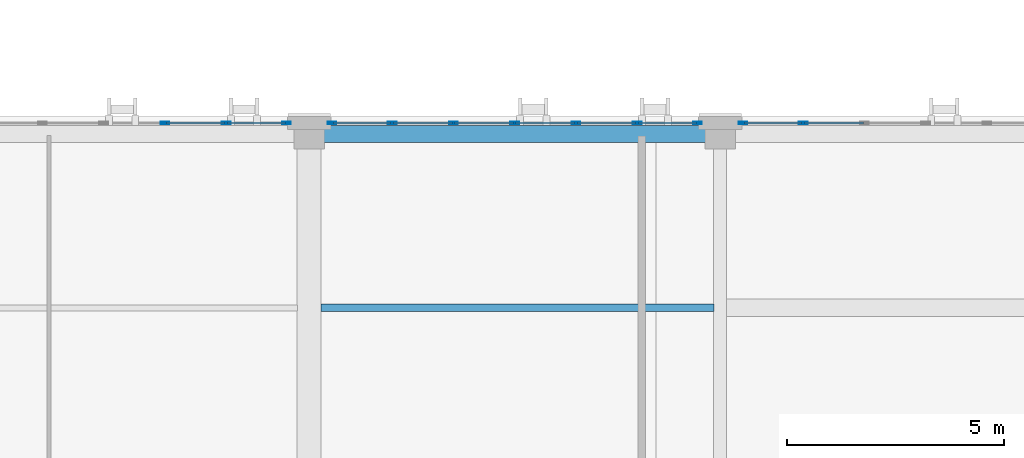
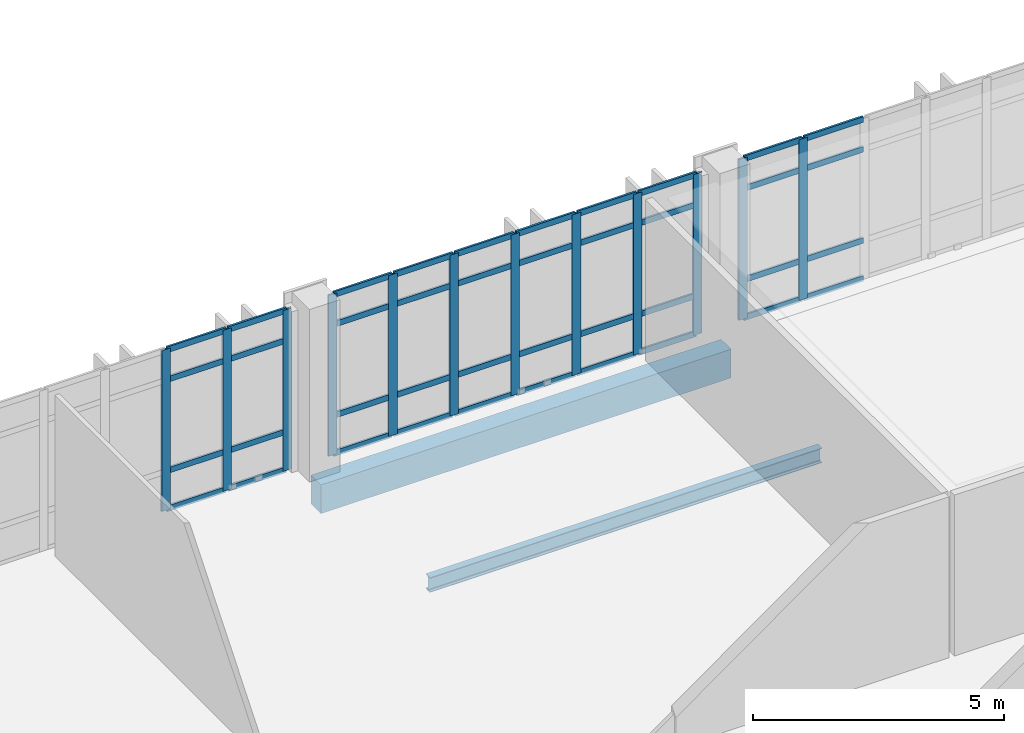
# One storey, part 18 of 165: 52 members, 2 beams, 3 elements without a shape of their own.
"""IFC4 building model written with IfcOpenShell, lengths in metres."""

from ifc_helpers import new_model, si_unit, direction, frame, origin, origin_2d, place, context, subcontext, project, spatial, rectangle, hollow_rectangle, i_section, extrude, material, layer, layer_set, material_profile, profile_set, type_object, element, aggregate, save


model = new_model("IFC4")

# Units and contexts
model_context = context("Model", 3, precision=1e-05, world=origin(), true_north=direction((0.0, 1.0)))
body_context = subcontext(model_context, "Body", "Model", "MODEL_VIEW")
ifc_project = project(units=[si_unit("LENGTHUNIT", "METRE"), si_unit("AREAUNIT", "SQUARE_METRE"), si_unit("VOLUMEUNIT", "CUBIC_METRE"), si_unit("PLANEANGLEUNIT", "RADIAN"), si_unit("MASSUNIT", "GRAM", prefix="KILO")], contexts=[model_context])

# Site, building, storey
site_placement = place(None, origin())
site = spatial("IfcSite", under=ifc_project, at=site_placement, CompositionType="ELEMENT")
building_placement = place(site_placement, origin())
building = spatial("IfcBuilding", under=site, at=building_placement, Name="Qalavern Law Courts", CompositionType="ELEMENT")
storey_placement = place(building_placement, frame((0.0, 0.0, 14.39990234375)))
storey = spatial("IfcBuildingStorey", under=building, at=storey_placement, Name="L03", CompositionType="ELEMENT", Elevation=14.39990234375)

# Curtain wall, members
ifc_material_1 = material(Name="Anodised aluminium and insulated glazing", Category="aluminium")
ifc_layer = layer(ifc_material_1, 0.18505859375)
ifc_layer_set = layer_set([ifc_layer], Name="Anodised aluminium and insulated glazing")
curtain_wall_type = type_object("IfcCurtainWallType", Name="ENV-CW-HALL", PredefinedType="USERDEFINED", material=ifc_layer_set)
curtain_wall_1_placement = place(storey_placement, origin())
curtain_wall_1 = element("IfcCurtainWall", 1, at=curtain_wall_1_placement, inside=storey, type_object=curtain_wall_type, Name="V2 unitised curtain wall L03 north 3", ObjectType="UNITISED CURTAIN WALL", PredefinedType="USERDEFINED")
ifc_material_2 = material(Name="Anodised aluminium", Category="aluminium")
ifc_material_profile_1 = material_profile(ifc_material_2, hollow_rectangle(XDim=0.048095703125, YDim=0.199951171875, WallThickness=0.00439453125, at=origin_2d()), Name="ALU MULLION 48x200")
ifc_profile_set_1 = profile_set([ifc_material_profile_1], Name="Anodised aluminium")
member_type_1 = type_object("IfcMemberType", Name="ENV-CWM-48x200", PredefinedType="MULLION", material=ifc_profile_set_1)
member_1_placement = place(storey_placement, frame((64.891845703125, 30.25244140625, 0.0), z_axis=(0.0, 0.0, 1.0), x_axis=(0.0, -1.0, 0.0)))
member_1 = element("IfcMember", 2, at=member_1_placement, type_object=member_type_1, Name="CW-02 mullion 6", PredefinedType="MULLION", context=body_context, shape_type="SweptSolid", body=[
    extrude(hollow_rectangle(XDim=0.048095703125, YDim=0.199951171875, WallThickness=0.00439453125, at=origin_2d()), origin(), (0.0, 0.0, 1.0), 3.920166015625),
])
member_2_placement = place(storey_placement, frame((63.5068359375, 30.25244140625, 0.0), z_axis=(0.0, 0.0, 1.0), x_axis=(0.0, -1.0, 0.0)))
member_2 = element("IfcMember", 3, at=member_2_placement, type_object=member_type_1, Name="CW-02 mullion 7", PredefinedType="MULLION", context=body_context, shape_type="SweptSolid", body=[
    extrude(hollow_rectangle(XDim=0.048095703125, YDim=0.199951171875, WallThickness=0.00439453125, at=origin_2d()), origin(), (0.0, 0.0, 1.0), 3.920166015625),
])

curtain_wall_2_placement = place(storey_placement, origin())
curtain_wall_2 = element("IfcCurtainWall", 4, at=curtain_wall_2_placement, inside=storey, type_object=curtain_wall_type, Name="V2 unitised curtain wall L03 north 4", ObjectType="UNITISED CURTAIN WALL", PredefinedType="USERDEFINED")
member_3_placement = place(storey_placement, frame((62.458984375, 30.25244140625, 0.0), z_axis=(0.0, 0.0, 1.0), x_axis=(0.0, -1.0, 0.0)))
member_3 = element("IfcMember", 5, at=member_3_placement, type_object=member_type_1, Name="CW-02 mullion 1", PredefinedType="MULLION", context=body_context, shape_type="SweptSolid", body=[
    extrude(hollow_rectangle(XDim=0.048095703125, YDim=0.199951171875, WallThickness=0.00439453125, at=origin_2d()), origin(), (0.0, 0.0, 1.0), 3.920166015625),
])
member_4_placement = place(storey_placement, frame((61.07373046875, 30.25244140625, 0.0), z_axis=(0.0, 0.0, 1.0), x_axis=(0.0, -1.0, 0.0)))
member_4 = element("IfcMember", 6, at=member_4_placement, type_object=member_type_1, Name="CW-02 mullion 2", PredefinedType="MULLION", context=body_context, shape_type="SweptSolid", body=[
    extrude(hollow_rectangle(XDim=0.048095703125, YDim=0.199951171875, WallThickness=0.00439453125, at=origin_2d()), origin(), (0.0, 0.0, 1.0), 3.920166015625),
])
member_5_placement = place(storey_placement, frame((59.664794921875, 30.25244140625, 0.0), z_axis=(0.0, 0.0, 1.0), x_axis=(0.0, -1.0, 0.0)))
member_5 = element("IfcMember", 7, at=member_5_placement, type_object=member_type_1, Name="CW-02 mullion 3", PredefinedType="MULLION", context=body_context, shape_type="SweptSolid", body=[
    extrude(hollow_rectangle(XDim=0.048095703125, YDim=0.199951171875, WallThickness=0.00439453125, at=origin_2d()), origin(), (0.0, 0.0, 1.0), 3.920166015625),
])
member_6_placement = place(storey_placement, frame((58.255859375, 30.25244140625, 0.0), z_axis=(0.0, 0.0, 1.0), x_axis=(0.0, -1.0, 0.0)))
member_6 = element("IfcMember", 8, at=member_6_placement, type_object=member_type_1, Name="CW-02 mullion 4", PredefinedType="MULLION", context=body_context, shape_type="SweptSolid", body=[
    extrude(hollow_rectangle(XDim=0.048095703125, YDim=0.199951171875, WallThickness=0.00439453125, at=origin_2d()), origin(), (0.0, 0.0, 1.0), 3.920166015625),
])
member_7_placement = place(storey_placement, frame((56.8466796875, 30.25244140625, 0.0), z_axis=(0.0, 0.0, 1.0), x_axis=(0.0, -1.0, 0.0)))
member_7 = element("IfcMember", 9, at=member_7_placement, type_object=member_type_1, Name="CW-02 mullion 5", PredefinedType="MULLION", context=body_context, shape_type="SweptSolid", body=[
    extrude(hollow_rectangle(XDim=0.048095703125, YDim=0.199951171875, WallThickness=0.00439453125, at=origin_2d()), origin(), (0.0, 0.0, 1.0), 3.920166015625),
])
member_8_placement = place(storey_placement, frame((55.437744140625, 30.25244140625, 0.0), z_axis=(0.0, 0.0, 1.0), x_axis=(0.0, -1.0, 0.0)))
member_8 = element("IfcMember", 10, at=member_8_placement, type_object=member_type_1, Name="CW-02 mullion 6", PredefinedType="MULLION", context=body_context, shape_type="SweptSolid", body=[
    extrude(hollow_rectangle(XDim=0.048095703125, YDim=0.199951171875, WallThickness=0.00439453125, at=origin_2d()), origin(), (0.0, 0.0, 1.0), 3.920166015625),
])
member_9_placement = place(storey_placement, frame((54.052490234375, 30.25244140625, 0.0), z_axis=(0.0, 0.0, 1.0), x_axis=(0.0, -1.0, 0.0)))
member_9 = element("IfcMember", 11, at=member_9_placement, type_object=member_type_1, Name="CW-02 mullion 7", PredefinedType="MULLION", context=body_context, shape_type="SweptSolid", body=[
    extrude(hollow_rectangle(XDim=0.048095703125, YDim=0.199951171875, WallThickness=0.00439453125, at=origin_2d()), origin(), (0.0, 0.0, 1.0), 3.920166015625),
])

curtain_wall_3_placement = place(storey_placement, origin())
curtain_wall_3 = element("IfcCurtainWall", 12, at=curtain_wall_3_placement, inside=storey, type_object=curtain_wall_type, Name="V2 unitised curtain wall L03 north 5", ObjectType="UNITISED CURTAIN WALL", PredefinedType="USERDEFINED")
member_10_placement = place(storey_placement, frame((53.004638671875, 30.25244140625, 0.0), z_axis=(0.0, 0.0, 1.0), x_axis=(0.0, -1.0, 0.0)))
member_10 = element("IfcMember", 13, at=member_10_placement, type_object=member_type_1, Name="CW-02 mullion 1", PredefinedType="MULLION", context=body_context, shape_type="SweptSolid", body=[
    extrude(hollow_rectangle(XDim=0.048095703125, YDim=0.199951171875, WallThickness=0.00439453125, at=origin_2d()), origin(), (0.0, 0.0, 1.0), 3.920166015625),
])
member_11_placement = place(storey_placement, frame((51.61962890625, 30.25244140625, 0.0), z_axis=(0.0, 0.0, 1.0), x_axis=(0.0, -1.0, 0.0)))
member_11 = element("IfcMember", 14, at=member_11_placement, type_object=member_type_1, Name="CW-02 mullion 2", PredefinedType="MULLION", context=body_context, shape_type="SweptSolid", body=[
    extrude(hollow_rectangle(XDim=0.048095703125, YDim=0.199951171875, WallThickness=0.00439453125, at=origin_2d()), origin(), (0.0, 0.0, 1.0), 3.920166015625),
])
member_12_placement = place(storey_placement, frame((50.21044921875, 30.25244140625, 0.0), z_axis=(0.0, 0.0, 1.0), x_axis=(0.0, -1.0, 0.0)))
member_12 = element("IfcMember", 15, at=member_12_placement, type_object=member_type_1, Name="CW-02 mullion 3", PredefinedType="MULLION", context=body_context, shape_type="SweptSolid", body=[
    extrude(hollow_rectangle(XDim=0.048095703125, YDim=0.199951171875, WallThickness=0.00439453125, at=origin_2d()), origin(), (0.0, 0.0, 1.0), 3.920166015625),
])

# Member
ifc_material_profile_2 = material_profile(ifc_material_2, hollow_rectangle(XDim=0.048095703125, YDim=0.139892578125, WallThickness=0.00390625, at=origin_2d()), Name="ALU TRANSOM 48x140")
ifc_profile_set_2 = profile_set([ifc_material_profile_2], Name="Anodised aluminium")
member_type_2 = type_object("IfcMemberType", Name="ENV-CWT-48x140", PredefinedType="USERDEFINED", material=ifc_profile_set_2)
member_13_placement = place(storey_placement, frame((66.27685546875, 30.25244140625, 0.024169921875), z_axis=(-1.0, 0.0, 0.0), x_axis=(0.0, -1.0, 0.0)))
member_13 = element("IfcMember", 16, at=member_13_placement, type_object=member_type_2, Name="CW-02 transom 5.1", ObjectType="TRANSOM", PredefinedType="USERDEFINED", context=body_context, shape_type="SweptSolid", body=[
    extrude(hollow_rectangle(XDim=0.048095703125, YDim=0.139892578125, WallThickness=0.00390625, at=origin_2d()), origin(), (0.0, 0.0, 1.0), 1.36083984375),
])

member_14_placement = place(storey_placement, frame((66.27685546875, 30.25244140625, 0.9501953125), z_axis=(-1.0, 0.0, 0.0), x_axis=(0.0, -1.0, 0.0)))
member_14 = element("IfcMember", 17, at=member_14_placement, type_object=member_type_2, Name="CW-02 transom 5.2", ObjectType="TRANSOM", PredefinedType="USERDEFINED", context=body_context, shape_type="SweptSolid", body=[
    extrude(hollow_rectangle(XDim=0.048095703125, YDim=0.139892578125, WallThickness=0.00390625, at=origin_2d()), origin(), (0.0, 0.0, 1.0), 1.36083984375),
])

member_15_placement = place(storey_placement, frame((66.27685546875, 30.25244140625, 3.170166015625), z_axis=(-1.0, 0.0, 0.0), x_axis=(0.0, -1.0, 0.0)))
member_15 = element("IfcMember", 18, at=member_15_placement, type_object=member_type_2, Name="CW-02 transom 5.3", ObjectType="TRANSOM", PredefinedType="USERDEFINED", context=body_context, shape_type="SweptSolid", body=[
    extrude(hollow_rectangle(XDim=0.048095703125, YDim=0.139892578125, WallThickness=0.00390625, at=origin_2d()), origin(), (0.0, 0.0, 1.0), 1.36083984375),
])

member_16_placement = place(storey_placement, frame((66.27685546875, 30.25244140625, 3.89599609375), z_axis=(-1.0, 0.0, 0.0), x_axis=(0.0, -1.0, 0.0)))
member_16 = element("IfcMember", 19, at=member_16_placement, type_object=member_type_2, Name="CW-02 transom 5.4", ObjectType="TRANSOM", PredefinedType="USERDEFINED", context=body_context, shape_type="SweptSolid", body=[
    extrude(hollow_rectangle(XDim=0.048095703125, YDim=0.139892578125, WallThickness=0.00390625, at=origin_2d()), origin(), (0.0, 0.0, 1.0), 1.36083984375),
])

member_17_placement = place(storey_placement, frame((64.867919921875, 30.25244140625, 0.024169921875), z_axis=(-1.0, 0.0, 0.0), x_axis=(0.0, -1.0, 0.0)))
member_17 = element("IfcMember", 20, at=member_17_placement, type_object=member_type_2, Name="CW-02 transom 6.1", ObjectType="TRANSOM", PredefinedType="USERDEFINED", context=body_context, shape_type="SweptSolid", body=[
    extrude(hollow_rectangle(XDim=0.048095703125, YDim=0.139892578125, WallThickness=0.00390625, at=origin_2d()), origin(), (0.0, 0.0, 1.0), 1.3369140625),
])

member_18_placement = place(storey_placement, frame((64.867919921875, 30.25244140625, 0.9501953125), z_axis=(-1.0, 0.0, 0.0), x_axis=(0.0, -1.0, 0.0)))
member_18 = element("IfcMember", 21, at=member_18_placement, type_object=member_type_2, Name="CW-02 transom 6.2", ObjectType="TRANSOM", PredefinedType="USERDEFINED", context=body_context, shape_type="SweptSolid", body=[
    extrude(hollow_rectangle(XDim=0.048095703125, YDim=0.139892578125, WallThickness=0.00390625, at=origin_2d()), origin(), (0.0, 0.0, 1.0), 1.3369140625),
])

member_19_placement = place(storey_placement, frame((64.867919921875, 30.25244140625, 3.170166015625), z_axis=(-1.0, 0.0, 0.0), x_axis=(0.0, -1.0, 0.0)))
member_19 = element("IfcMember", 22, at=member_19_placement, type_object=member_type_2, Name="CW-02 transom 6.3", ObjectType="TRANSOM", PredefinedType="USERDEFINED", context=body_context, shape_type="SweptSolid", body=[
    extrude(hollow_rectangle(XDim=0.048095703125, YDim=0.139892578125, WallThickness=0.00390625, at=origin_2d()), origin(), (0.0, 0.0, 1.0), 1.3369140625),
])

member_20_placement = place(storey_placement, frame((64.867919921875, 30.25244140625, 3.89599609375), z_axis=(-1.0, 0.0, 0.0), x_axis=(0.0, -1.0, 0.0)))
member_20 = element("IfcMember", 23, at=member_20_placement, type_object=member_type_2, Name="CW-02 transom 6.4", ObjectType="TRANSOM", PredefinedType="USERDEFINED", context=body_context, shape_type="SweptSolid", body=[
    extrude(hollow_rectangle(XDim=0.048095703125, YDim=0.139892578125, WallThickness=0.00390625, at=origin_2d()), origin(), (0.0, 0.0, 1.0), 1.3369140625),
])

aggregate(curtain_wall_1, [member_1, member_2, member_13, member_14, member_15, member_16, member_17, member_18, member_19, member_20])

member_21_placement = place(storey_placement, frame((62.434814453125, 30.25244140625, 0.024169921875), z_axis=(-1.0, 0.0, 0.0), x_axis=(0.0, -1.0, 0.0)))
member_21 = element("IfcMember", 24, at=member_21_placement, type_object=member_type_2, Name="CW-02 transom 1.1", ObjectType="TRANSOM", PredefinedType="USERDEFINED", context=body_context, shape_type="SweptSolid", body=[
    extrude(hollow_rectangle(XDim=0.048095703125, YDim=0.139892578125, WallThickness=0.00390625, at=origin_2d()), origin(), (0.0, 0.0, 1.0), 1.3369140625),
])

member_22_placement = place(storey_placement, frame((62.434814453125, 30.25244140625, 0.9501953125), z_axis=(-1.0, 0.0, 0.0), x_axis=(0.0, -1.0, 0.0)))
member_22 = element("IfcMember", 25, at=member_22_placement, type_object=member_type_2, Name="CW-02 transom 1.2", ObjectType="TRANSOM", PredefinedType="USERDEFINED", context=body_context, shape_type="SweptSolid", body=[
    extrude(hollow_rectangle(XDim=0.048095703125, YDim=0.139892578125, WallThickness=0.00390625, at=origin_2d()), origin(), (0.0, 0.0, 1.0), 1.3369140625),
])

member_23_placement = place(storey_placement, frame((62.434814453125, 30.25244140625, 3.170166015625), z_axis=(-1.0, 0.0, 0.0), x_axis=(0.0, -1.0, 0.0)))
member_23 = element("IfcMember", 26, at=member_23_placement, type_object=member_type_2, Name="CW-02 transom 1.3", ObjectType="TRANSOM", PredefinedType="USERDEFINED", context=body_context, shape_type="SweptSolid", body=[
    extrude(hollow_rectangle(XDim=0.048095703125, YDim=0.139892578125, WallThickness=0.00390625, at=origin_2d()), origin(), (0.0, 0.0, 1.0), 1.3369140625),
])

member_24_placement = place(storey_placement, frame((62.434814453125, 30.25244140625, 3.89599609375), z_axis=(-1.0, 0.0, 0.0), x_axis=(0.0, -1.0, 0.0)))
member_24 = element("IfcMember", 27, at=member_24_placement, type_object=member_type_2, Name="CW-02 transom 1.4", ObjectType="TRANSOM", PredefinedType="USERDEFINED", context=body_context, shape_type="SweptSolid", body=[
    extrude(hollow_rectangle(XDim=0.048095703125, YDim=0.139892578125, WallThickness=0.00390625, at=origin_2d()), origin(), (0.0, 0.0, 1.0), 1.3369140625),
])

member_25_placement = place(storey_placement, frame((61.0498046875, 30.25244140625, 0.024169921875), z_axis=(-1.0, 0.0, 0.0), x_axis=(0.0, -1.0, 0.0)))
member_25 = element("IfcMember", 28, at=member_25_placement, type_object=member_type_2, Name="CW-02 transom 2.1", ObjectType="TRANSOM", PredefinedType="USERDEFINED", context=body_context, shape_type="SweptSolid", body=[
    extrude(hollow_rectangle(XDim=0.048095703125, YDim=0.139892578125, WallThickness=0.00390625, at=origin_2d()), origin(), (0.0, 0.0, 1.0), 1.361083984375),
])

member_26_placement = place(storey_placement, frame((61.0498046875, 30.25244140625, 0.9501953125), z_axis=(-1.0, 0.0, 0.0), x_axis=(0.0, -1.0, 0.0)))
member_26 = element("IfcMember", 29, at=member_26_placement, type_object=member_type_2, Name="CW-02 transom 2.2", ObjectType="TRANSOM", PredefinedType="USERDEFINED", context=body_context, shape_type="SweptSolid", body=[
    extrude(hollow_rectangle(XDim=0.048095703125, YDim=0.139892578125, WallThickness=0.00390625, at=origin_2d()), origin(), (0.0, 0.0, 1.0), 1.361083984375),
])

member_27_placement = place(storey_placement, frame((61.0498046875, 30.25244140625, 3.170166015625), z_axis=(-1.0, 0.0, 0.0), x_axis=(0.0, -1.0, 0.0)))
member_27 = element("IfcMember", 30, at=member_27_placement, type_object=member_type_2, Name="CW-02 transom 2.3", ObjectType="TRANSOM", PredefinedType="USERDEFINED", context=body_context, shape_type="SweptSolid", body=[
    extrude(hollow_rectangle(XDim=0.048095703125, YDim=0.139892578125, WallThickness=0.00390625, at=origin_2d()), origin(), (0.0, 0.0, 1.0), 1.361083984375),
])

member_28_placement = place(storey_placement, frame((61.0498046875, 30.25244140625, 3.89599609375), z_axis=(-1.0, 0.0, 0.0), x_axis=(0.0, -1.0, 0.0)))
member_28 = element("IfcMember", 31, at=member_28_placement, type_object=member_type_2, Name="CW-02 transom 2.4", ObjectType="TRANSOM", PredefinedType="USERDEFINED", context=body_context, shape_type="SweptSolid", body=[
    extrude(hollow_rectangle(XDim=0.048095703125, YDim=0.139892578125, WallThickness=0.00390625, at=origin_2d()), origin(), (0.0, 0.0, 1.0), 1.361083984375),
])

member_29_placement = place(storey_placement, frame((59.640869140625, 30.25244140625, 0.024169921875), z_axis=(-1.0, 0.0, 0.0), x_axis=(0.0, -1.0, 0.0)))
member_29 = element("IfcMember", 32, at=member_29_placement, type_object=member_type_2, Name="CW-02 transom 3.1", ObjectType="TRANSOM", PredefinedType="USERDEFINED", context=body_context, shape_type="SweptSolid", body=[
    extrude(hollow_rectangle(XDim=0.048095703125, YDim=0.139892578125, WallThickness=0.00390625, at=origin_2d()), origin(), (0.0, 0.0, 1.0), 1.361083984375),
])

member_30_placement = place(storey_placement, frame((59.640869140625, 30.25244140625, 0.9501953125), z_axis=(-1.0, 0.0, 0.0), x_axis=(0.0, -1.0, 0.0)))
member_30 = element("IfcMember", 33, at=member_30_placement, type_object=member_type_2, Name="CW-02 transom 3.2", ObjectType="TRANSOM", PredefinedType="USERDEFINED", context=body_context, shape_type="SweptSolid", body=[
    extrude(hollow_rectangle(XDim=0.048095703125, YDim=0.139892578125, WallThickness=0.00390625, at=origin_2d()), origin(), (0.0, 0.0, 1.0), 1.361083984375),
])

member_31_placement = place(storey_placement, frame((59.640869140625, 30.25244140625, 3.170166015625), z_axis=(-1.0, 0.0, 0.0), x_axis=(0.0, -1.0, 0.0)))
member_31 = element("IfcMember", 34, at=member_31_placement, type_object=member_type_2, Name="CW-02 transom 3.3", ObjectType="TRANSOM", PredefinedType="USERDEFINED", context=body_context, shape_type="SweptSolid", body=[
    extrude(hollow_rectangle(XDim=0.048095703125, YDim=0.139892578125, WallThickness=0.00390625, at=origin_2d()), origin(), (0.0, 0.0, 1.0), 1.361083984375),
])

member_32_placement = place(storey_placement, frame((59.640869140625, 30.25244140625, 3.89599609375), z_axis=(-1.0, 0.0, 0.0), x_axis=(0.0, -1.0, 0.0)))
member_32 = element("IfcMember", 35, at=member_32_placement, type_object=member_type_2, Name="CW-02 transom 3.4", ObjectType="TRANSOM", PredefinedType="USERDEFINED", context=body_context, shape_type="SweptSolid", body=[
    extrude(hollow_rectangle(XDim=0.048095703125, YDim=0.139892578125, WallThickness=0.00390625, at=origin_2d()), origin(), (0.0, 0.0, 1.0), 1.361083984375),
])

member_33_placement = place(storey_placement, frame((58.231689453125, 30.25244140625, 0.024169921875), z_axis=(-1.0, 0.0, 0.0), x_axis=(0.0, -1.0, 0.0)))
member_33 = element("IfcMember", 36, at=member_33_placement, type_object=member_type_2, Name="CW-02 transom 4.1", ObjectType="TRANSOM", PredefinedType="USERDEFINED", context=body_context, shape_type="SweptSolid", body=[
    extrude(hollow_rectangle(XDim=0.048095703125, YDim=0.139892578125, WallThickness=0.00390625, at=origin_2d()), origin(), (0.0, 0.0, 1.0), 1.361083984375),
])

member_34_placement = place(storey_placement, frame((58.231689453125, 30.25244140625, 0.9501953125), z_axis=(-1.0, 0.0, 0.0), x_axis=(0.0, -1.0, 0.0)))
member_34 = element("IfcMember", 37, at=member_34_placement, type_object=member_type_2, Name="CW-02 transom 4.2", ObjectType="TRANSOM", PredefinedType="USERDEFINED", context=body_context, shape_type="SweptSolid", body=[
    extrude(hollow_rectangle(XDim=0.048095703125, YDim=0.139892578125, WallThickness=0.00390625, at=origin_2d()), origin(), (0.0, 0.0, 1.0), 1.361083984375),
])

member_35_placement = place(storey_placement, frame((58.231689453125, 30.25244140625, 3.170166015625), z_axis=(-1.0, 0.0, 0.0), x_axis=(0.0, -1.0, 0.0)))
member_35 = element("IfcMember", 38, at=member_35_placement, type_object=member_type_2, Name="CW-02 transom 4.3", ObjectType="TRANSOM", PredefinedType="USERDEFINED", context=body_context, shape_type="SweptSolid", body=[
    extrude(hollow_rectangle(XDim=0.048095703125, YDim=0.139892578125, WallThickness=0.00390625, at=origin_2d()), origin(), (0.0, 0.0, 1.0), 1.361083984375),
])

member_36_placement = place(storey_placement, frame((58.231689453125, 30.25244140625, 3.89599609375), z_axis=(-1.0, 0.0, 0.0), x_axis=(0.0, -1.0, 0.0)))
member_36 = element("IfcMember", 39, at=member_36_placement, type_object=member_type_2, Name="CW-02 transom 4.4", ObjectType="TRANSOM", PredefinedType="USERDEFINED", context=body_context, shape_type="SweptSolid", body=[
    extrude(hollow_rectangle(XDim=0.048095703125, YDim=0.139892578125, WallThickness=0.00390625, at=origin_2d()), origin(), (0.0, 0.0, 1.0), 1.361083984375),
])

member_37_placement = place(storey_placement, frame((56.82275390625, 30.25244140625, 0.024169921875), z_axis=(-1.0, 0.0, 0.0), x_axis=(0.0, -1.0, 0.0)))
member_37 = element("IfcMember", 40, at=member_37_placement, type_object=member_type_2, Name="CW-02 transom 5.1", ObjectType="TRANSOM", PredefinedType="USERDEFINED", context=body_context, shape_type="SweptSolid", body=[
    extrude(hollow_rectangle(XDim=0.048095703125, YDim=0.139892578125, WallThickness=0.00390625, at=origin_2d()), origin(), (0.0, 0.0, 1.0), 1.361083984375),
])

member_38_placement = place(storey_placement, frame((56.82275390625, 30.25244140625, 0.9501953125), z_axis=(-1.0, 0.0, 0.0), x_axis=(0.0, -1.0, 0.0)))
member_38 = element("IfcMember", 41, at=member_38_placement, type_object=member_type_2, Name="CW-02 transom 5.2", ObjectType="TRANSOM", PredefinedType="USERDEFINED", context=body_context, shape_type="SweptSolid", body=[
    extrude(hollow_rectangle(XDim=0.048095703125, YDim=0.139892578125, WallThickness=0.00390625, at=origin_2d()), origin(), (0.0, 0.0, 1.0), 1.361083984375),
])

member_39_placement = place(storey_placement, frame((56.82275390625, 30.25244140625, 3.170166015625), z_axis=(-1.0, 0.0, 0.0), x_axis=(0.0, -1.0, 0.0)))
member_39 = element("IfcMember", 42, at=member_39_placement, type_object=member_type_2, Name="CW-02 transom 5.3", ObjectType="TRANSOM", PredefinedType="USERDEFINED", context=body_context, shape_type="SweptSolid", body=[
    extrude(hollow_rectangle(XDim=0.048095703125, YDim=0.139892578125, WallThickness=0.00390625, at=origin_2d()), origin(), (0.0, 0.0, 1.0), 1.361083984375),
])

member_40_placement = place(storey_placement, frame((56.82275390625, 30.25244140625, 3.89599609375), z_axis=(-1.0, 0.0, 0.0), x_axis=(0.0, -1.0, 0.0)))
member_40 = element("IfcMember", 43, at=member_40_placement, type_object=member_type_2, Name="CW-02 transom 5.4", ObjectType="TRANSOM", PredefinedType="USERDEFINED", context=body_context, shape_type="SweptSolid", body=[
    extrude(hollow_rectangle(XDim=0.048095703125, YDim=0.139892578125, WallThickness=0.00390625, at=origin_2d()), origin(), (0.0, 0.0, 1.0), 1.361083984375),
])

member_41_placement = place(storey_placement, frame((55.41357421875, 30.25244140625, 0.024169921875), z_axis=(-1.0, 0.0, 0.0), x_axis=(0.0, -1.0, 0.0)))
member_41 = element("IfcMember", 44, at=member_41_placement, type_object=member_type_2, Name="CW-02 transom 6.1", ObjectType="TRANSOM", PredefinedType="USERDEFINED", context=body_context, shape_type="SweptSolid", body=[
    extrude(hollow_rectangle(XDim=0.048095703125, YDim=0.139892578125, WallThickness=0.00390625, at=origin_2d()), origin(), (0.0, 0.0, 1.0), 1.3369140625),
])

member_42_placement = place(storey_placement, frame((55.41357421875, 30.25244140625, 0.9501953125), z_axis=(-1.0, 0.0, 0.0), x_axis=(0.0, -1.0, 0.0)))
member_42 = element("IfcMember", 45, at=member_42_placement, type_object=member_type_2, Name="CW-02 transom 6.2", ObjectType="TRANSOM", PredefinedType="USERDEFINED", context=body_context, shape_type="SweptSolid", body=[
    extrude(hollow_rectangle(XDim=0.048095703125, YDim=0.139892578125, WallThickness=0.00390625, at=origin_2d()), origin(), (0.0, 0.0, 1.0), 1.3369140625),
])

member_43_placement = place(storey_placement, frame((55.41357421875, 30.25244140625, 3.170166015625), z_axis=(-1.0, 0.0, 0.0), x_axis=(0.0, -1.0, 0.0)))
member_43 = element("IfcMember", 46, at=member_43_placement, type_object=member_type_2, Name="CW-02 transom 6.3", ObjectType="TRANSOM", PredefinedType="USERDEFINED", context=body_context, shape_type="SweptSolid", body=[
    extrude(hollow_rectangle(XDim=0.048095703125, YDim=0.139892578125, WallThickness=0.00390625, at=origin_2d()), origin(), (0.0, 0.0, 1.0), 1.3369140625),
])

member_44_placement = place(storey_placement, frame((55.41357421875, 30.25244140625, 3.89599609375), z_axis=(-1.0, 0.0, 0.0), x_axis=(0.0, -1.0, 0.0)))
member_44 = element("IfcMember", 47, at=member_44_placement, type_object=member_type_2, Name="CW-02 transom 6.4", ObjectType="TRANSOM", PredefinedType="USERDEFINED", context=body_context, shape_type="SweptSolid", body=[
    extrude(hollow_rectangle(XDim=0.048095703125, YDim=0.139892578125, WallThickness=0.00390625, at=origin_2d()), origin(), (0.0, 0.0, 1.0), 1.3369140625),
])

aggregate(curtain_wall_2, [member_3, member_4, member_5, member_6, member_7, member_8, member_9, member_21, member_22, member_23, member_24, member_25, member_26, member_27, member_28, member_29, member_30, member_31, member_32, member_33, member_34, member_35, member_36, member_37, member_38, member_39, member_40, member_41, member_42, member_43, member_44])

member_45_placement = place(storey_placement, frame((52.980712890625, 30.25244140625, 0.024169921875), z_axis=(-1.0, 0.0, 0.0), x_axis=(0.0, -1.0, 0.0)))
member_45 = element("IfcMember", 48, at=member_45_placement, type_object=member_type_2, Name="CW-02 transom 1.1", ObjectType="TRANSOM", PredefinedType="USERDEFINED", context=body_context, shape_type="SweptSolid", body=[
    extrude(hollow_rectangle(XDim=0.048095703125, YDim=0.139892578125, WallThickness=0.00390625, at=origin_2d()), origin(), (0.0, 0.0, 1.0), 1.337158203125),
])

member_46_placement = place(storey_placement, frame((52.980712890625, 30.25244140625, 0.9501953125), z_axis=(-1.0, 0.0, 0.0), x_axis=(0.0, -1.0, 0.0)))
member_46 = element("IfcMember", 49, at=member_46_placement, type_object=member_type_2, Name="CW-02 transom 1.2", ObjectType="TRANSOM", PredefinedType="USERDEFINED", context=body_context, shape_type="SweptSolid", body=[
    extrude(hollow_rectangle(XDim=0.048095703125, YDim=0.139892578125, WallThickness=0.00390625, at=origin_2d()), origin(), (0.0, 0.0, 1.0), 1.337158203125),
])

member_47_placement = place(storey_placement, frame((52.980712890625, 30.25244140625, 3.170166015625), z_axis=(-1.0, 0.0, 0.0), x_axis=(0.0, -1.0, 0.0)))
member_47 = element("IfcMember", 50, at=member_47_placement, type_object=member_type_2, Name="CW-02 transom 1.3", ObjectType="TRANSOM", PredefinedType="USERDEFINED", context=body_context, shape_type="SweptSolid", body=[
    extrude(hollow_rectangle(XDim=0.048095703125, YDim=0.139892578125, WallThickness=0.00390625, at=origin_2d()), origin(), (0.0, 0.0, 1.0), 1.337158203125),
])

member_48_placement = place(storey_placement, frame((52.980712890625, 30.25244140625, 3.89599609375), z_axis=(-1.0, 0.0, 0.0), x_axis=(0.0, -1.0, 0.0)))
member_48 = element("IfcMember", 51, at=member_48_placement, type_object=member_type_2, Name="CW-02 transom 1.4", ObjectType="TRANSOM", PredefinedType="USERDEFINED", context=body_context, shape_type="SweptSolid", body=[
    extrude(hollow_rectangle(XDim=0.048095703125, YDim=0.139892578125, WallThickness=0.00390625, at=origin_2d()), origin(), (0.0, 0.0, 1.0), 1.337158203125),
])

member_49_placement = place(storey_placement, frame((51.595458984375, 30.25244140625, 0.024169921875), z_axis=(-1.0, 0.0, 0.0), x_axis=(0.0, -1.0, 0.0)))
member_49 = element("IfcMember", 52, at=member_49_placement, type_object=member_type_2, Name="CW-02 transom 2.1", ObjectType="TRANSOM", PredefinedType="USERDEFINED", context=body_context, shape_type="SweptSolid", body=[
    extrude(hollow_rectangle(XDim=0.048095703125, YDim=0.139892578125, WallThickness=0.00390625, at=origin_2d()), origin(), (0.0, 0.0, 1.0), 1.36083984375),
])

member_50_placement = place(storey_placement, frame((51.595458984375, 30.25244140625, 0.9501953125), z_axis=(-1.0, 0.0, 0.0), x_axis=(0.0, -1.0, 0.0)))
member_50 = element("IfcMember", 53, at=member_50_placement, type_object=member_type_2, Name="CW-02 transom 2.2", ObjectType="TRANSOM", PredefinedType="USERDEFINED", context=body_context, shape_type="SweptSolid", body=[
    extrude(hollow_rectangle(XDim=0.048095703125, YDim=0.139892578125, WallThickness=0.00390625, at=origin_2d()), origin(), (0.0, 0.0, 1.0), 1.36083984375),
])

member_51_placement = place(storey_placement, frame((51.595458984375, 30.25244140625, 3.170166015625), z_axis=(-1.0, 0.0, 0.0), x_axis=(0.0, -1.0, 0.0)))
member_51 = element("IfcMember", 54, at=member_51_placement, type_object=member_type_2, Name="CW-02 transom 2.3", ObjectType="TRANSOM", PredefinedType="USERDEFINED", context=body_context, shape_type="SweptSolid", body=[
    extrude(hollow_rectangle(XDim=0.048095703125, YDim=0.139892578125, WallThickness=0.00390625, at=origin_2d()), origin(), (0.0, 0.0, 1.0), 1.36083984375),
])

member_52_placement = place(storey_placement, frame((51.595458984375, 30.25244140625, 3.89599609375), z_axis=(-1.0, 0.0, 0.0), x_axis=(0.0, -1.0, 0.0)))
member_52 = element("IfcMember", 55, at=member_52_placement, type_object=member_type_2, Name="CW-02 transom 2.4", ObjectType="TRANSOM", PredefinedType="USERDEFINED", context=body_context, shape_type="SweptSolid", body=[
    extrude(hollow_rectangle(XDim=0.048095703125, YDim=0.139892578125, WallThickness=0.00390625, at=origin_2d()), origin(), (0.0, 0.0, 1.0), 1.36083984375),
])

aggregate(curtain_wall_3, [member_10, member_11, member_12, member_45, member_46, member_47, member_48, member_49, member_50, member_51, member_52])

# Beams
ifc_material_3 = material(Name="Steel S355", Category="steel")
ifc_material_profile_3 = material_profile(ifc_material_3, i_section(OverallWidth=0.169921875, OverallDepth=0.360107421875, WebThickness=0.008056640625, FlangeThickness=0.0126953125, FilletRadius=0.01806640625, at=origin_2d()), Name="IPE 360")
ifc_profile_set_3 = profile_set([ifc_material_profile_3], Name="Steel S355")
beam_type_1 = type_object("IfcBeamType", Name="STR-JST-IPE360", PredefinedType="JOIST", material=ifc_profile_set_3)
beam_1_placement = place(storey_placement, frame((53.801513671875, 26.0, -0.46484375), z_axis=(1.0, 0.0, 0.0), x_axis=(0.0, 1.0, 0.0)))
element("IfcBeam", 56, at=beam_1_placement, inside=storey, type_object=beam_type_1, Name="V2 secondary joist 3.3.1 L03", PredefinedType="JOIST", context=body_context, shape_type="SweptSolid", body=[
    extrude(i_section(OverallWidth=0.169921875, OverallDepth=0.360107421875, WebThickness=0.008056640625, FlangeThickness=0.0126953125, FilletRadius=0.01806640625, at=origin_2d()), origin(), (0.0, 0.0, 1.0), 9.033447265625),
])
ifc_material_4 = material(Name="Concrete C40/50", Category="concrete")
ifc_material_profile_4 = material_profile(ifc_material_4, rectangle(XDim=0.39990234375, YDim=0.699951171875, at=origin_2d()), Name="RC 400x700")
ifc_profile_set_4 = profile_set([ifc_material_profile_4], Name="Concrete C40/50")
beam_type_2 = type_object("IfcBeamType", Name="STR-SP-RC400x700", PredefinedType="SPANDREL", material=ifc_profile_set_4)
beam_2_placement = place(storey_placement, frame((53.528564453125, 30.0, -0.635009765625), z_axis=(1.0, 0.0, 0.0), x_axis=(0.0, 1.0, 0.0)))
element("IfcBeam", 57, at=beam_2_placement, inside=storey, type_object=beam_type_2, Name="V2 X-beam 4-3 L03", PredefinedType="SPANDREL", context=body_context, shape_type="SweptSolid", body=[
    extrude(rectangle(XDim=0.39990234375, YDim=0.699951171875, at=origin_2d()), origin(), (0.0, 0.0, 1.0), 9.454345703125),
])

save(model, "model.ifc")
